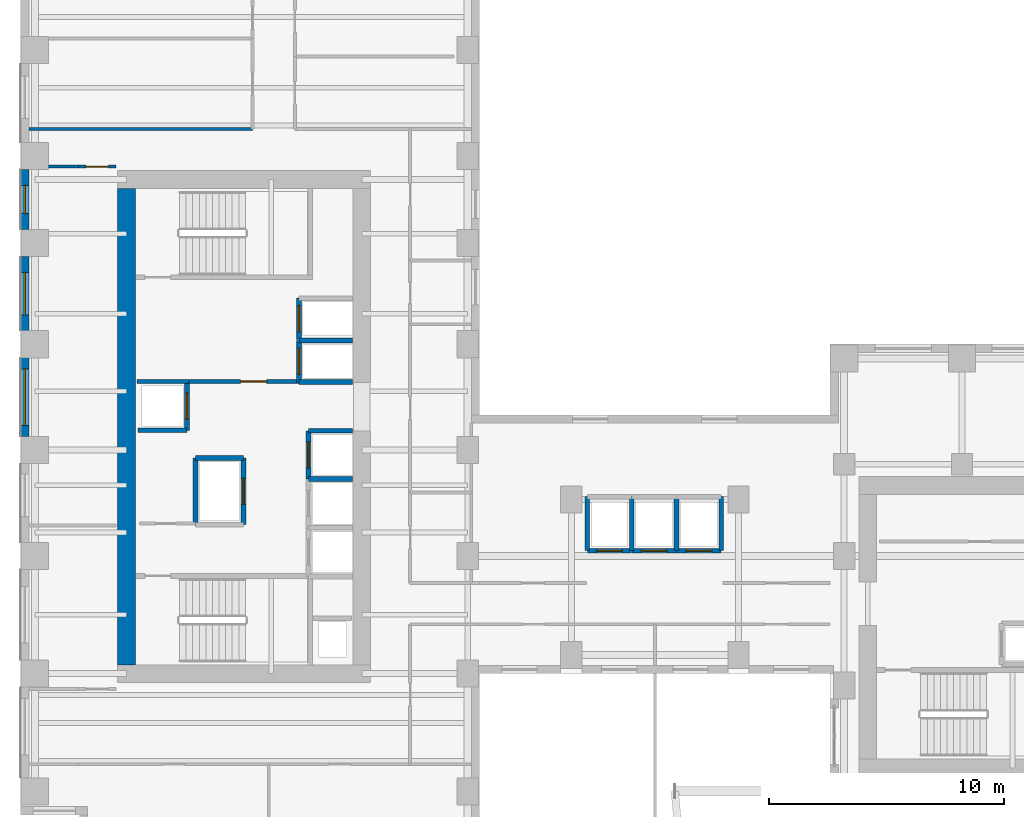
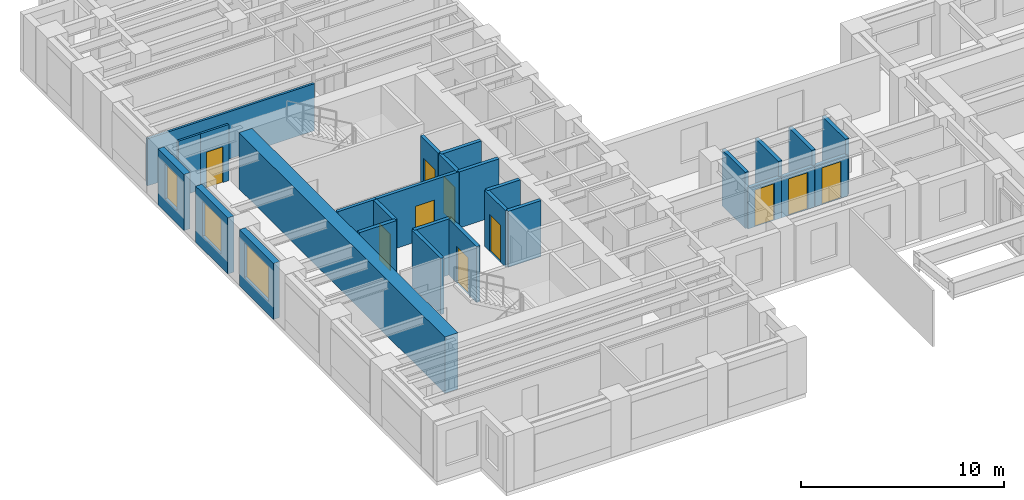
# One storey, part 8 of 14: 28 walls, 10 doors, 3 windows, 13 openings.
"""IFC4 building model written with IfcOpenShell, lengths in metres."""

from ifc_helpers import new_model, si_unit, direction, frame, frame_2d, origin, place, context, subcontext, project, spatial, rectangle, extrude, source, transform, mapped, material, layer, layer_set, type_object, element, fill, save


model = new_model("IFC4")

# Units and contexts
model_context = context("Model", 3, precision=1e-05, world=origin(), true_north=direction((0.0, 1.0)))
body_context = subcontext(model_context, "Body", "Model", "MODEL_VIEW")
ifc_project = project(units=[si_unit("LENGTHUNIT", "METRE"), si_unit("AREAUNIT", "SQUARE_METRE"), si_unit("VOLUMEUNIT", "CUBIC_METRE"), si_unit("PLANEANGLEUNIT", "RADIAN"), si_unit("MASSUNIT", "GRAM", prefix="KILO")], contexts=[model_context])

# Site, building, storey
site_placement = place(None, origin())
site = spatial("IfcSite", under=ifc_project, at=site_placement, CompositionType="ELEMENT")
building_placement = place(site_placement, origin())
building = spatial("IfcBuilding", under=site, at=building_placement, Name="Kharzan Plaza Tower", CompositionType="ELEMENT")
storey_placement = place(building_placement, frame((0.0, 0.0, 102.60009765625)))
storey = spatial("IfcBuildingStorey", under=building, at=storey_placement, Name="L27", CompositionType="ELEMENT", Elevation=102.60009765625)

# Wall, opening, window
ifc_material_1 = material(Name="Concrete C40/50", Category="concrete")
ifc_layer_1 = layer(ifc_material_1, 0.35009765625)
ifc_layer_set_1 = layer_set([ifc_layer_1], Name="Concrete C40/50")
wall_type_1 = type_object("IfcWallType", Name="WL-EXT-MAS-Z2", PredefinedType="SOLIDWALL", material=ifc_layer_set_1)
wall_1_placement = place(storey_placement, frame((0.175048828125, 29.927001953125, 0.0), z_axis=(0.0, 0.0, 1.0), x_axis=(0.0, -1.0, 0.0)))
wall_1 = element("IfcWall", 1, at=wall_1_placement, inside=storey, type_object=wall_type_1, Name="L27 Masonry-Frame Exterior Wall 20", PredefinedType="SOLIDWALL", context=body_context, shape_type="SweptSolid", body=[
    extrude(rectangle(XDim=2.553955078125, YDim=0.35009765625, at=frame_2d((1.27685546875, 0.0))), origin(), (0.0, 0.0, 1.0), 3.364990234375),
])
opening_1_placement = place(wall_1_placement, frame((0.677001953125, 0.0, 0.780029296875)))
opening_1 = element("IfcOpeningElement", 2, at=opening_1_placement, cuts=wall_1, Name="Opening W3", PredefinedType="OPENING", context=body_context, shape_type="SweptSolid", body=[
    extrude(rectangle(XDim=1.199951171875, YDim=2.10009765625, at=frame_2d((0.60009765625, 1.050048828125))), frame((0.0, 0.18505859375, 0.0), z_axis=(0.0, -1.0, 0.0), x_axis=(1.0, 0.0, 0.0)), (0.0, 0.0, 1.0), 0.3701171875),
])
ifc_material_2 = material(Name="Low-E Double Glazing", Category="glass")
window_type_1 = type_object("IfcWindowType", Name="WN-REC-1200x2100", PartitioningType="SINGLE_PANEL", PredefinedType="WINDOW", material=ifc_material_2)
shared_shape_1 = source(origin(), body_context, "Body", "SweptSolid", [
    extrude(rectangle(XDim=1.199951171875, YDim=2.10009765625, at=frame_2d((0.60009765625, 1.050048828125))), frame((0.0, 0.030029296875, 0.0), z_axis=(0.0, -1.0, 0.0), x_axis=(1.0, 0.0, 0.0)), (0.0, 0.0, 1.0), 0.06005859375),
])
window_1_placement = place(opening_1_placement, origin())
window_1 = element("IfcWindow", 3, at=window_1_placement, inside=storey, type_object=window_type_1, Name="L27 Recessed Solar-Control Window 20-1", OverallHeight=2.10009765625, OverallWidth=1.199951171875, PartitioningType="SINGLE_PANEL", PredefinedType="WINDOW", context=body_context, shape_type="MappedRepresentation", body=[
    mapped(shared_shape_1, transform((0.0, 0.0, 0.0), x_axis=(1.0, 0.0, 0.0), y_axis=(0.0, 1.0, 0.0), z_axis=(0.0, 0.0, 1.0))),
])
fill(opening_1, window_1)

wall_2_placement = place(storey_placement, frame((0.175048828125, 26.22705078125, 0.0), z_axis=(0.0, 0.0, 1.0), x_axis=(0.0, -1.0, 0.0)))
wall_2 = element("IfcWall", 4, at=wall_2_placement, inside=storey, type_object=wall_type_1, Name="L27 Masonry-Frame Exterior Wall 21", PredefinedType="SOLIDWALL", context=body_context, shape_type="SweptSolid", body=[
    extrude(rectangle(XDim=3.154052734375, YDim=0.35009765625, at=frame_2d((1.5771484375, 0.0))), origin(), (0.0, 0.0, 1.0), 3.364990234375),
])
opening_2_placement = place(wall_2_placement, frame((0.677001953125, 0.0, 0.780029296875)))
opening_2 = element("IfcOpeningElement", 5, at=opening_2_placement, cuts=wall_2, Name="Opening W1", PredefinedType="OPENING", context=body_context, shape_type="SweptSolid", body=[
    extrude(rectangle(XDim=1.800048828125, YDim=2.10009765625, at=frame_2d((0.89990234375, 1.050048828125))), frame((0.0, 0.18505859375, 0.0), z_axis=(0.0, -1.0, 0.0), x_axis=(1.0, 0.0, 0.0)), (0.0, 0.0, 1.0), 0.3701171875),
])
window_type_2 = type_object("IfcWindowType", Name="WN-REC-1800x2100", PartitioningType="SINGLE_PANEL", PredefinedType="WINDOW", material=ifc_material_2)
shared_shape_2 = source(origin(), body_context, "Body", "SweptSolid", [
    extrude(rectangle(XDim=1.800048828125, YDim=2.10009765625, at=frame_2d((0.89990234375, 1.050048828125))), frame((0.0, 0.030029296875, 0.0), z_axis=(0.0, -1.0, 0.0), x_axis=(1.0, 0.0, 0.0)), (0.0, 0.0, 1.0), 0.06005859375),
])
window_2_placement = place(opening_2_placement, origin())
window_2 = element("IfcWindow", 6, at=window_2_placement, inside=storey, type_object=window_type_2, Name="L27 Recessed Solar-Control Window 21-1", OverallHeight=2.10009765625, OverallWidth=1.800048828125, PartitioningType="SINGLE_PANEL", PredefinedType="WINDOW", context=body_context, shape_type="MappedRepresentation", body=[
    mapped(shared_shape_2, transform((0.0, 0.0, 0.0), x_axis=(1.0, 0.0, 0.0), y_axis=(0.0, 1.0, 0.0), z_axis=(0.0, 0.0, 1.0))),
])
fill(opening_2, window_2)

wall_3_placement = place(storey_placement, frame((0.175048828125, 21.927001953125, 0.0), z_axis=(0.0, 0.0, 1.0), x_axis=(0.0, -1.0, 0.0)))
wall_3 = element("IfcWall", 7, at=wall_3_placement, inside=storey, type_object=wall_type_1, Name="L27 Masonry-Frame Exterior Wall 22", PredefinedType="SOLIDWALL", context=body_context, shape_type="SweptSolid", body=[
    extrude(rectangle(XDim=3.35400390625, YDim=0.35009765625, at=frame_2d((1.677001953125, 0.0))), origin(), (0.0, 0.0, 1.0), 3.364990234375),
])
opening_3_placement = place(wall_3_placement, frame((0.47705078125, 0.0, 0.780029296875)))
opening_3 = element("IfcOpeningElement", 8, at=opening_3_placement, cuts=wall_3, Name="Opening W2", PredefinedType="OPENING", context=body_context, shape_type="SweptSolid", body=[
    extrude(rectangle(XDim=2.39990234375, YDim=2.10009765625, at=frame_2d((1.199951171875, 1.050048828125))), frame((0.0, 0.18505859375, 0.0), z_axis=(0.0, -1.0, 0.0), x_axis=(1.0, 0.0, 0.0)), (0.0, 0.0, 1.0), 0.3701171875),
])
window_type_3 = type_object("IfcWindowType", Name="WN-REC-2400x2100", PartitioningType="SINGLE_PANEL", PredefinedType="WINDOW", material=ifc_material_2)
shared_shape_3 = source(origin(), body_context, "Body", "SweptSolid", [
    extrude(rectangle(XDim=2.39990234375, YDim=2.10009765625, at=frame_2d((1.199951171875, 1.050048828125))), frame((0.0, 0.030029296875, 0.0), z_axis=(0.0, -1.0, 0.0), x_axis=(1.0, 0.0, 0.0)), (0.0, 0.0, 1.0), 0.06005859375),
])
window_3_placement = place(opening_3_placement, origin())
window_3 = element("IfcWindow", 9, at=window_3_placement, inside=storey, type_object=window_type_3, Name="L27 Wide Recessed Solar-Control Window 22-1", OverallHeight=2.10009765625, OverallWidth=2.39990234375, PartitioningType="SINGLE_PANEL", PredefinedType="WINDOW", context=body_context, shape_type="MappedRepresentation", body=[
    mapped(shared_shape_3, transform((0.0, 0.0, 0.0), x_axis=(1.0, 0.0, 0.0), y_axis=(0.0, 1.0, 0.0), z_axis=(0.0, 0.0, 1.0))),
])
fill(opening_3, window_3)

# Wall, opening, door
ifc_layer_2 = layer(ifc_material_1, 0.179931640625)
ifc_layer_set_2 = layer_set([ifc_layer_2], Name="Concrete C40/50")
wall_type_2 = type_object("IfcWallType", Name="WL-INT-FIRE-180", PredefinedType="PARTITIONING", material=ifc_layer_set_2)
wall_4_placement = place(storey_placement, frame((7.14990234375, 20.919921875, 0.0), z_axis=(0.0, 0.0, 1.0), x_axis=(1.0, 0.0, 0.0)))
wall_4 = element("IfcWall", 10, at=wall_4_placement, inside=storey, type_object=wall_type_2, Name="L27 Interior Partition CA-FF-S", PredefinedType="PARTITIONING", context=body_context, shape_type="SweptSolid", body=[
    extrude(rectangle(XDim=4.68017578125, YDim=0.179931640625, at=frame_2d((2.340087890625, 0.0))), origin(), (0.0, 0.0, 1.0), 3.364990234375),
])
opening_4_placement = place(wall_4_placement, frame((2.199951171875, 0.0, 0.0)))
opening_4 = element("IfcOpeningElement", 11, at=opening_4_placement, cuts=wall_4, Name="Opening FD1", PredefinedType="OPENING", context=body_context, shape_type="SweptSolid", body=[
    extrude(rectangle(XDim=1.10009765625, YDim=2.14990234375, at=frame_2d((0.550048828125, 1.074951171875))), frame((0.0, 0.099853515625, 0.0), z_axis=(0.0, -1.0, 0.0), x_axis=(1.0, 0.0, 0.0)), (0.0, 0.0, 1.0), 0.199951171875),
])
ifc_material_3 = material(Name="Fire-Rated Acoustic Vision-Panel Steel", Category="steel")
door_type_1 = type_object("IfcDoorType", Name="DR-FIRE-LOBBY", OperationType="NOTDEFINED", PredefinedType="DOOR", material=ifc_material_3)
shared_shape_4 = source(origin(), body_context, "Body", "SweptSolid", [
    extrude(rectangle(XDim=1.10009765625, YDim=2.14990234375, at=frame_2d((0.550048828125, 1.074951171875))), frame((0.0, 0.02490234375, 0.0), z_axis=(0.0, -1.0, 0.0), x_axis=(1.0, 0.0, 0.0)), (0.0, 0.0, 1.0), 0.050048828125),
])
door_1_placement = place(opening_4_placement, origin())
door_1 = element("IfcDoor", 12, at=door_1_placement, inside=storey, type_object=door_type_1, Name="L27 Firefighting Lobby Door", OperationType="SINGLE_SWING_LEFT", OverallHeight=2.14990234375, OverallWidth=1.10009765625, PredefinedType="DOOR", context=body_context, shape_type="MappedRepresentation", body=[
    mapped(shared_shape_4, transform((0.0, 0.0, 0.0), x_axis=(1.0, 0.0, 0.0), y_axis=(0.0, 1.0, 0.0), z_axis=(0.0, 0.0, 1.0))),
])
fill(opening_4, door_1)

ifc_material_4 = material(Name="Fire-Rated Gypsum Board Partition", Category="gypsum")
ifc_layer_3 = layer(ifc_material_4, 0.125)
ifc_layer_set_3 = layer_set([ifc_layer_3], Name="Fire-Rated Gypsum Board Partition")
wall_type_3 = type_object("IfcWallType", Name="WL-INT-PART-125", PredefinedType="PARTITIONING", material=ifc_layer_set_3)
wall_5_placement = place(storey_placement, frame((2.449951171875, 30.050048828125, 0.0), z_axis=(0.0, 0.0, 1.0), x_axis=(1.0, 0.0, 0.0)))
wall_5 = element("IfcWall", 13, at=wall_5_placement, inside=storey, type_object=wall_type_3, Name="L27 Interior Partition SH-RWND", PredefinedType="PARTITIONING", context=body_context, shape_type="SweptSolid", body=[
    extrude(rectangle(XDim=1.60009765625, YDim=0.125, at=frame_2d((0.800048828125, 0.0))), origin(), (0.0, 0.0, 1.0), 3.364990234375),
])
opening_5_placement = place(wall_5_placement, frame((0.324951171875, 0.0, 0.0)))
opening_5 = element("IfcOpeningElement", 14, at=opening_5_placement, cuts=wall_5, Name="Opening OD1", PredefinedType="OPENING", context=body_context, shape_type="SweptSolid", body=[
    extrude(rectangle(XDim=0.949951171875, YDim=2.14990234375, at=frame_2d((0.47509765625, 1.074951171875))), frame((0.0, 0.072509765625, 0.0), z_axis=(0.0, -1.0, 0.0), x_axis=(1.0, 0.0, 0.0)), (0.0, 0.0, 1.0), 0.14501953125),
])
ifc_material_5 = material(Name="Acoustic Solid-Core Stained Oak", Category="timber")
door_type_2 = type_object("IfcDoorType", Name="DR-OFF-SINGLE", OperationType="NOTDEFINED", PredefinedType="DOOR", material=ifc_material_5)
shared_shape_5 = source(origin(), body_context, "Body", "SweptSolid", [
    extrude(rectangle(XDim=0.949951171875, YDim=2.14990234375, at=frame_2d((0.47509765625, 1.074951171875))), frame((0.0, 0.02490234375, 0.0), z_axis=(0.0, -1.0, 0.0), x_axis=(1.0, 0.0, 0.0)), (0.0, 0.0, 1.0), 0.050048828125),
])
door_2_placement = place(opening_5_placement, origin())
door_2 = element("IfcDoor", 15, at=door_2_placement, inside=storey, type_object=door_type_2, Name="L27 West Office 2 Door", OperationType="SINGLE_SWING_RIGHT", OverallHeight=2.14990234375, OverallWidth=0.949951171875, PredefinedType="DOOR", context=body_context, shape_type="MappedRepresentation", body=[
    mapped(shared_shape_5, transform((0.0, 0.0, 0.0), x_axis=(1.0, 0.0, 0.0), y_axis=(0.0, 1.0, 0.0), z_axis=(0.0, 0.0, 1.0))),
])
fill(opening_5, door_2)

ifc_layer_4 = layer(ifc_material_1, 0.199951171875)
ifc_layer_set_4 = layer_set([ifc_layer_4], Name="Concrete C40/50")
wall_type_4 = type_object("IfcWallType", Name="WL-INT-SHAFT-200", PredefinedType="PARTITIONING", material=ifc_layer_set_4)
wall_6_placement = place(storey_placement, frame((11.830078125, 20.89990234375, 0.0), z_axis=(0.0, 0.0, 1.0), x_axis=(0.0, 1.0, 0.0)))
wall_6 = element("IfcWall", 16, at=wall_6_placement, inside=storey, type_object=wall_type_4, Name="L27 Interior Partition SHF-FFL-1-W", PredefinedType="PARTITIONING", context=body_context, shape_type="SweptSolid", body=[
    extrude(rectangle(XDim=1.760009765625, YDim=0.199951171875, at=frame_2d((0.8798828125, 0.0))), origin(), (0.0, 0.0, 1.0), 3.364990234375),
])
opening_6_placement = place(wall_6_placement, frame((0.330078125, 0.0, 0.0)))
opening_6 = element("IfcOpeningElement", 17, at=opening_6_placement, cuts=wall_6, Name="Opening LD", PredefinedType="OPENING", context=body_context, shape_type="SweptSolid", body=[
    extrude(rectangle(XDim=1.10009765625, YDim=2.199951171875, at=frame_2d((0.550048828125, 1.10009765625))), frame((0.0, 0.10986328125, 0.0), z_axis=(0.0, -1.0, 0.0), x_axis=(1.0, 0.0, 0.0)), (0.0, 0.0, 1.0), 0.219970703125),
])
ifc_material_6 = material(Name="Brushed Stainless Steel", Category="steel")
door_type_3 = type_object("IfcDoorType", Name="DR-LIFT-SLIDE", OperationType="SLIDING_TO_LEFT", PredefinedType="DOOR", material=ifc_material_6)
shared_shape_6 = source(origin(), body_context, "Body", "SweptSolid", [
    extrude(rectangle(XDim=1.10009765625, YDim=2.199951171875, at=frame_2d((0.550048828125, 1.10009765625))), frame((0.0, 0.02490234375, 0.0), z_axis=(0.0, -1.0, 0.0), x_axis=(1.0, 0.0, 0.0)), (0.0, 0.0, 1.0), 0.050048828125),
])
door_3_placement = place(opening_6_placement, origin())
door_3 = element("IfcDoor", 18, at=door_3_placement, inside=storey, type_object=door_type_3, Name="L27 Firefighting Lift FFL-1 Sliding Landing Door", OperationType="SLIDING_TO_LEFT", OverallHeight=2.199951171875, OverallWidth=1.10009765625, PredefinedType="DOOR", context=body_context, shape_type="MappedRepresentation", body=[
    mapped(shared_shape_6, transform((0.0, 0.0, 0.0), x_axis=(1.0, 0.0, 0.0), y_axis=(0.0, 1.0, 0.0), z_axis=(0.0, 0.0, 1.0))),
])
fill(opening_6, door_3)

wall_7_placement = place(storey_placement, frame((11.830078125, 22.699951171875, 0.0), z_axis=(0.0, 0.0, 1.0), x_axis=(0.0, 1.0, 0.0)))
wall_7 = element("IfcWall", 19, at=wall_7_placement, inside=storey, type_object=wall_type_4, Name="L27 Interior Partition SHF-FFL-2-W", PredefinedType="PARTITIONING", context=body_context, shape_type="SweptSolid", body=[
    extrude(rectangle(XDim=1.760009765625, YDim=0.199951171875, at=frame_2d((0.8798828125, 0.0))), origin(), (0.0, 0.0, 1.0), 3.364990234375),
])
opening_7_placement = place(wall_7_placement, frame((0.330078125, 0.0, 0.0)))
opening_7 = element("IfcOpeningElement", 20, at=opening_7_placement, cuts=wall_7, Name="Opening LD", PredefinedType="OPENING", context=body_context, shape_type="SweptSolid", body=[
    extrude(rectangle(XDim=1.10009765625, YDim=2.199951171875, at=frame_2d((0.550048828125, 1.10009765625))), frame((0.0, 0.10986328125, 0.0), z_axis=(0.0, -1.0, 0.0), x_axis=(1.0, 0.0, 0.0)), (0.0, 0.0, 1.0), 0.219970703125),
])
door_4_placement = place(opening_7_placement, origin())
door_4 = element("IfcDoor", 21, at=door_4_placement, inside=storey, type_object=door_type_3, Name="L27 Firefighting Lift FFL-2 Sliding Landing Door", OperationType="SLIDING_TO_LEFT", OverallHeight=2.199951171875, OverallWidth=1.10009765625, PredefinedType="DOOR", context=body_context, shape_type="MappedRepresentation", body=[
    mapped(shared_shape_6, transform((0.0, 0.0, 0.0), x_axis=(1.0, 0.0, 0.0), y_axis=(0.0, 1.0, 0.0), z_axis=(0.0, 0.0, 1.0))),
])
fill(opening_7, door_4)

wall_8_placement = place(storey_placement, frame((12.22998046875, 16.77001953125, 0.0), z_axis=(0.0, 0.0, 1.0), x_axis=(0.0, 1.0, 0.0)))
wall_8 = element("IfcWall", 22, at=wall_8_placement, inside=storey, type_object=wall_type_4, Name="L27 Interior Partition SHF-PL-H3-W", PredefinedType="PARTITIONING", context=body_context, shape_type="SweptSolid", body=[
    extrude(rectangle(XDim=2.050048828125, YDim=0.199951171875, at=frame_2d((1.02490234375, 0.0))), origin(), (0.0, 0.0, 1.0), 3.364990234375),
])
opening_8_placement = place(wall_8_placement, frame((0.47509765625, 0.0, 0.0)))
opening_8 = element("IfcOpeningElement", 23, at=opening_8_placement, cuts=wall_8, Name="Opening LD", PredefinedType="OPENING", context=body_context, shape_type="SweptSolid", body=[
    extrude(rectangle(XDim=1.10009765625, YDim=2.199951171875, at=frame_2d((0.550048828125, 1.10009765625))), frame((0.0, 0.10986328125, 0.0), z_axis=(0.0, -1.0, 0.0), x_axis=(1.0, 0.0, 0.0)), (0.0, 0.0, 1.0), 0.219970703125),
])
door_5_placement = place(opening_8_placement, origin())
door_5 = element("IfcDoor", 24, at=door_5_placement, inside=storey, type_object=door_type_3, Name="L27 High-Rise Passenger Lift PL-H3 Sliding Landing Door", OperationType="SLIDING_TO_LEFT", OverallHeight=2.199951171875, OverallWidth=1.10009765625, PredefinedType="DOOR", context=body_context, shape_type="MappedRepresentation", body=[
    mapped(shared_shape_6, transform((0.0, 0.0, 0.0), x_axis=(1.0, 0.0, 0.0), y_axis=(0.0, 1.0, 0.0), z_axis=(0.0, 0.0, 1.0))),
])
fill(opening_8, door_5)

wall_9_placement = place(storey_placement, frame((7.070068359375, 18.840087890625, 0.0), z_axis=(0.0, 0.0, 1.0), x_axis=(0.0, 1.0, 0.0)))
wall_9 = element("IfcWall", 25, at=wall_9_placement, inside=storey, type_object=wall_type_4, Name="L27 Interior Partition SHF-PL-H4-E", PredefinedType="PARTITIONING", context=body_context, shape_type="SweptSolid", body=[
    extrude(rectangle(XDim=2.059814453125, YDim=0.199951171875, at=frame_2d((1.02978515625, 0.0))), origin(), (0.0, 0.0, 1.0), 3.364990234375),
])
opening_9_placement = place(wall_9_placement, frame((0.47998046875, 0.0, 0.0)))
opening_9 = element("IfcOpeningElement", 26, at=opening_9_placement, cuts=wall_9, Name="Opening LD", PredefinedType="OPENING", context=body_context, shape_type="SweptSolid", body=[
    extrude(rectangle(XDim=1.10009765625, YDim=2.199951171875, at=frame_2d((0.550048828125, 1.10009765625))), frame((0.0, 0.10986328125, 0.0), z_axis=(0.0, -1.0, 0.0), x_axis=(1.0, 0.0, 0.0)), (0.0, 0.0, 1.0), 0.219970703125),
])
door_6_placement = place(opening_9_placement, origin())
door_6 = element("IfcDoor", 27, at=door_6_placement, inside=storey, type_object=door_type_3, Name="L27 High-Rise Passenger Lift PL-H4 Sliding Landing Door", OperationType="SLIDING_TO_LEFT", OverallHeight=2.199951171875, OverallWidth=1.10009765625, PredefinedType="DOOR", context=body_context, shape_type="MappedRepresentation", body=[
    mapped(shared_shape_6, transform((0.0, 0.0, 0.0), x_axis=(1.0, 0.0, 0.0), y_axis=(0.0, 1.0, 0.0), z_axis=(0.0, 0.0, 1.0))),
])
fill(opening_9, door_6)

wall_10_placement = place(storey_placement, frame((24.080078125, 13.72998046875, 0.0), z_axis=(0.0, 0.0, 1.0), x_axis=(1.0, 0.0, 0.0)))
wall_10 = element("IfcWall", 28, at=wall_10_placement, inside=storey, type_object=wall_type_4, Name="L27 Interior Partition SHF-PL-M1-S", PredefinedType="PARTITIONING", context=body_context, shape_type="SweptSolid", body=[
    extrude(rectangle(XDim=1.889892578125, YDim=0.199951171875, at=frame_2d((0.94482421875, 0.0))), origin(), (0.0, 0.0, 1.0), 2.44580078125),
])
opening_10_placement = place(wall_10_placement, frame((0.39501953125, 0.0, 0.0)))
opening_10 = element("IfcOpeningElement", 29, at=opening_10_placement, cuts=wall_10, Name="Opening LD", PredefinedType="OPENING", context=body_context, shape_type="SweptSolid", body=[
    extrude(rectangle(XDim=1.10009765625, YDim=2.199951171875, at=frame_2d((0.550048828125, 1.10009765625))), frame((0.0, 0.10986328125, 0.0), z_axis=(0.0, -1.0, 0.0), x_axis=(1.0, 0.0, 0.0)), (0.0, 0.0, 1.0), 0.219970703125),
])
door_7_placement = place(opening_10_placement, origin())
door_7 = element("IfcDoor", 30, at=door_7_placement, inside=storey, type_object=door_type_3, Name="L27 Mid-Rise Passenger Lift PL-M1 Sliding Landing Door", OperationType="SLIDING_TO_LEFT", OverallHeight=2.199951171875, OverallWidth=1.10009765625, PredefinedType="DOOR", context=body_context, shape_type="MappedRepresentation", body=[
    mapped(shared_shape_6, transform((0.0, 0.0, 0.0), x_axis=(1.0, 0.0, 0.0), y_axis=(0.0, 1.0, 0.0), z_axis=(0.0, 0.0, 1.0))),
])
fill(opening_10, door_7)

wall_11_placement = place(storey_placement, frame((25.97998046875, 13.72998046875, 0.0), z_axis=(0.0, 0.0, 1.0), x_axis=(1.0, 0.0, 0.0)))
wall_11 = element("IfcWall", 31, at=wall_11_placement, inside=storey, type_object=wall_type_4, Name="L27 Interior Partition SHF-PL-M2-S", PredefinedType="PARTITIONING", context=body_context, shape_type="SweptSolid", body=[
    extrude(rectangle(XDim=1.89013671875, YDim=0.199951171875, at=frame_2d((0.945068359375, 0.0))), origin(), (0.0, 0.0, 1.0), 2.44580078125),
])
opening_11_placement = place(wall_11_placement, frame((0.39501953125, 0.0, 0.0)))
opening_11 = element("IfcOpeningElement", 32, at=opening_11_placement, cuts=wall_11, Name="Opening LD", PredefinedType="OPENING", context=body_context, shape_type="SweptSolid", body=[
    extrude(rectangle(XDim=1.10009765625, YDim=2.199951171875, at=frame_2d((0.550048828125, 1.10009765625))), frame((0.0, 0.10986328125, 0.0), z_axis=(0.0, -1.0, 0.0), x_axis=(1.0, 0.0, 0.0)), (0.0, 0.0, 1.0), 0.219970703125),
])
door_8_placement = place(opening_11_placement, origin())
door_8 = element("IfcDoor", 33, at=door_8_placement, inside=storey, type_object=door_type_3, Name="L27 Mid-Rise Passenger Lift PL-M2 Sliding Landing Door", OperationType="SLIDING_TO_LEFT", OverallHeight=2.199951171875, OverallWidth=1.10009765625, PredefinedType="DOOR", context=body_context, shape_type="MappedRepresentation", body=[
    mapped(shared_shape_6, transform((0.0, 0.0, 0.0), x_axis=(1.0, 0.0, 0.0), y_axis=(0.0, 1.0, 0.0), z_axis=(0.0, 0.0, 1.0))),
])
fill(opening_11, door_8)

wall_12_placement = place(storey_placement, frame((27.8798828125, 13.72998046875, 0.0), z_axis=(0.0, 0.0, 1.0), x_axis=(1.0, 0.0, 0.0)))
wall_12 = element("IfcWall", 34, at=wall_12_placement, inside=storey, type_object=wall_type_4, Name="L27 Interior Partition SHF-PL-M3-S", PredefinedType="PARTITIONING", context=body_context, shape_type="SweptSolid", body=[
    extrude(rectangle(XDim=1.89013671875, YDim=0.199951171875, at=frame_2d((0.945068359375, 0.0))), origin(), (0.0, 0.0, 1.0), 2.44580078125),
])
opening_12_placement = place(wall_12_placement, frame((0.39501953125, 0.0, 0.0)))
opening_12 = element("IfcOpeningElement", 35, at=opening_12_placement, cuts=wall_12, Name="Opening LD", PredefinedType="OPENING", context=body_context, shape_type="SweptSolid", body=[
    extrude(rectangle(XDim=1.10009765625, YDim=2.199951171875, at=frame_2d((0.550048828125, 1.10009765625))), frame((0.0, 0.10986328125, 0.0), z_axis=(0.0, -1.0, 0.0), x_axis=(1.0, 0.0, 0.0)), (0.0, 0.0, 1.0), 0.219970703125),
])
door_9_placement = place(opening_12_placement, origin())
door_9 = element("IfcDoor", 36, at=door_9_placement, inside=storey, type_object=door_type_3, Name="L27 Mid-Rise Passenger Lift PL-M3 Sliding Landing Door", OperationType="SLIDING_TO_LEFT", OverallHeight=2.199951171875, OverallWidth=1.10009765625, PredefinedType="DOOR", context=body_context, shape_type="MappedRepresentation", body=[
    mapped(shared_shape_6, transform((0.0, 0.0, 0.0), x_axis=(1.0, 0.0, 0.0), y_axis=(0.0, 1.0, 0.0), z_axis=(0.0, 0.0, 1.0))),
])
fill(opening_12, door_9)

wall_13_placement = place(storey_placement, frame((9.469970703125, 14.830078125, 0.0), z_axis=(0.0, 0.0, 1.0), x_axis=(0.0, 1.0, 0.0)))
wall_13 = element("IfcWall", 37, at=wall_13_placement, inside=storey, type_object=wall_type_4, Name="L27 Interior Partition SHF-SVL-1-E", PredefinedType="PARTITIONING", context=body_context, shape_type="SweptSolid", body=[
    extrude(rectangle(XDim=2.83984375, YDim=0.199951171875, at=frame_2d((1.419921875, 0.0))), origin(), (0.0, 0.0, 1.0), 3.364990234375),
])
opening_13_placement = place(wall_13_placement, frame((0.8701171875, 0.0, 0.0)))
opening_13 = element("IfcOpeningElement", 38, at=opening_13_placement, cuts=wall_13, Name="Opening LD", PredefinedType="OPENING", context=body_context, shape_type="SweptSolid", body=[
    extrude(rectangle(XDim=1.10009765625, YDim=2.199951171875, at=frame_2d((0.550048828125, 1.10009765625))), frame((0.0, 0.10986328125, 0.0), z_axis=(0.0, -1.0, 0.0), x_axis=(1.0, 0.0, 0.0)), (0.0, 0.0, 1.0), 0.219970703125),
])
door_10_placement = place(opening_13_placement, origin())
door_10 = element("IfcDoor", 39, at=door_10_placement, inside=storey, type_object=door_type_3, Name="L27 Service Lift SVL-1 Sliding Landing Door", OperationType="SLIDING_TO_LEFT", OverallHeight=2.199951171875, OverallWidth=1.10009765625, PredefinedType="DOOR", context=body_context, shape_type="MappedRepresentation", body=[
    mapped(shared_shape_6, transform((0.0, 0.0, 0.0), x_axis=(1.0, 0.0, 0.0), y_axis=(0.0, 1.0, 0.0), z_axis=(0.0, 0.0, 1.0))),
])
fill(opening_13, door_10)

# Walls
shared_shape_7 = source(origin(), body_context, "Body", "SweptSolid", [
    extrude(rectangle(XDim=2.090087890625, YDim=0.199951171875, at=frame_2d((1.044921875, 0.0))), origin(), (0.0, 0.0, 1.0), 3.364990234375),
])
wall_14_placement = place(storey_placement, frame((4.97998046875, 18.840087890625, 0.0), z_axis=(0.0, 0.0, 1.0), x_axis=(1.0, 0.0, 0.0)))
element("IfcWall", 40, at=wall_14_placement, inside=storey, type_object=wall_type_4, Name="L27 Interior Partition SHF-PL-H4-S", PredefinedType="PARTITIONING", context=body_context, shape_type="MappedRepresentation", body=[
    mapped(shared_shape_7, transform((0.0, 0.0, 0.0), x_axis=(1.0, 0.0, 0.0), y_axis=(0.0, 1.0, 0.0), z_axis=(0.0, 0.0, 1.0))),
])
shared_shape_8 = source(origin(), body_context, "Body", "SweptSolid", [
    extrude(rectangle(XDim=2.2900390625, YDim=0.199951171875, at=frame_2d((1.14501953125, 0.0))), origin(), (0.0, 0.0, 1.0), 3.364990234375),
])
for number, where, z_axis, x_axis, name in (
    (41, (25.969970703125, 13.72998046875, 0.0), (0.0, 0.0, 1.0), (0.0, 1.0, 0.0), "L27 Interior Partition SHF-PL-M1-E"),
    (42, (24.080078125, 13.72998046875, 0.0), (0.0, 0.0, 1.0), (0.0, 1.0, 0.0), "L27 Interior Partition SHF-PL-M1-W"),
    (43, (27.8701171875, 13.72998046875, 0.0), (0.0, 0.0, 1.0), (0.0, 1.0, 0.0), "L27 Interior Partition SHF-PL-M2-E"),
    (44, (29.77001953125, 13.72998046875, 0.0), (0.0, 0.0, 1.0), (0.0, 1.0, 0.0), "L27 Interior Partition SHF-PL-M3-E"),
):
    element("IfcWall", number, at=place(storey_placement, frame(where, z_axis=z_axis, x_axis=x_axis)), inside=storey, type_object=wall_type_4, Name=name, PredefinedType="PARTITIONING", context=body_context, shape_type="MappedRepresentation", body=[
        mapped(shared_shape_8, transform((0.0, 0.0, 0.0), x_axis=(1.0, 0.0, 0.0), y_axis=(0.0, 1.0, 0.0), z_axis=(0.0, 0.0, 1.0))),
    ])
shared_shape_9 = source(origin(), body_context, "Body", "SweptSolid", [
    extrude(rectangle(XDim=2.0400390625, YDim=0.199951171875, at=frame_2d((1.02001953125, 0.0))), origin(), (0.0, 0.0, 1.0), 3.364990234375),
])
wall_15_placement = place(storey_placement, frame((7.429931640625, 17.669921875, 0.0), z_axis=(0.0, 0.0, 1.0), x_axis=(1.0, 0.0, 0.0)))
element("IfcWall", 45, at=wall_15_placement, inside=storey, type_object=wall_type_4, Name="L27 Interior Partition SHF-SVL-1-N", PredefinedType="PARTITIONING", context=body_context, shape_type="MappedRepresentation", body=[
    mapped(shared_shape_9, transform((0.0, 0.0, 0.0), x_axis=(1.0, 0.0, 0.0), y_axis=(0.0, 1.0, 0.0), z_axis=(0.0, 0.0, 1.0))),
])
shared_shape_10 = source(origin(), body_context, "Body", "SweptSolid", [
    extrude(rectangle(XDim=2.83984375, YDim=0.199951171875, at=frame_2d((1.419921875, 0.0))), origin(), (0.0, 0.0, 1.0), 3.364990234375),
])
wall_16_placement = place(storey_placement, frame((7.429931640625, 14.830078125, 0.0), z_axis=(0.0, 0.0, 1.0), x_axis=(0.0, 1.0, 0.0)))
element("IfcWall", 46, at=wall_16_placement, inside=storey, type_object=wall_type_4, Name="L27 Interior Partition SHF-SVL-1-W", PredefinedType="PARTITIONING", context=body_context, shape_type="MappedRepresentation", body=[
    mapped(shared_shape_10, transform((0.0, 0.0, 0.0), x_axis=(1.0, 0.0, 0.0), y_axis=(0.0, 1.0, 0.0), z_axis=(0.0, 0.0, 1.0))),
])
shared_shape_11 = source(origin(), body_context, "Body", "SweptSolid", [
    extrude(rectangle(XDim=9.498046875, YDim=0.125, at=frame_2d((4.7490234375, 0.0))), origin(), (0.0, 0.0, 1.0), 2.827880859375),
])
wall_17_placement = place(storey_placement, frame((0.35205078125, 31.64990234375, 0.0), z_axis=(0.0, 0.0, 1.0), x_axis=(1.0, 0.0, 0.0)))
element("IfcWall", 47, at=wall_17_placement, inside=storey, type_object=wall_type_3, Name="L27 Interior Partition SH-NNW", PredefinedType="PARTITIONING", context=body_context, shape_type="MappedRepresentation", body=[
    mapped(shared_shape_11, transform((0.0, 0.0, 0.0), x_axis=(1.0, 0.0, 0.0), y_axis=(0.0, 1.0, 0.0), z_axis=(0.0, 0.0, 1.0))),
])
shared_shape_12 = source(origin(), body_context, "Body", "SweptSolid", [
    extrude(rectangle(XDim=2.199951171875, YDim=0.179931640625, at=frame_2d((1.10009765625, 0.0))), origin(), (0.0, 0.0, 1.0), 3.364990234375),
])
wall_18_placement = place(storey_placement, frame((4.949951171875, 20.919921875, 0.0), z_axis=(0.0, 0.0, 1.0), x_axis=(1.0, 0.0, 0.0)))
element("IfcWall", 48, at=wall_18_placement, inside=storey, type_object=wall_type_2, Name="L27 Interior Partition CA-FF-SW", PredefinedType="PARTITIONING", context=body_context, shape_type="MappedRepresentation", body=[
    mapped(shared_shape_12, transform((0.0, 0.0, 0.0), x_axis=(1.0, 0.0, 0.0), y_axis=(0.0, 1.0, 0.0), z_axis=(0.0, 0.0, 1.0))),
])
shared_shape_13 = source(origin(), body_context, "Body", "SweptSolid", [
    extrude(rectangle(XDim=1.260009765625, YDim=0.125, at=frame_2d((0.6298828125, 0.0))), origin(), (0.0, 0.0, 1.0), 3.364990234375),
])
wall_19_placement = place(storey_placement, frame((1.18994140625, 30.050048828125, 0.0), z_axis=(0.0, 0.0, 1.0), x_axis=(1.0, 0.0, 0.0)))
element("IfcWall", 49, at=wall_19_placement, inside=storey, type_object=wall_type_3, Name="L27 Interior Partition SH-RWN0", PredefinedType="PARTITIONING", context=body_context, shape_type="MappedRepresentation", body=[
    mapped(shared_shape_13, transform((0.0, 0.0, 0.0), x_axis=(1.0, 0.0, 0.0), y_axis=(0.0, 1.0, 0.0), z_axis=(0.0, 0.0, 1.0))),
])
shared_shape_14 = source(origin(), body_context, "Body", "SweptSolid", [
    extrude(rectangle(XDim=2.264892578125, YDim=0.199951171875, at=frame_2d((1.13232421875, 0.0))), origin(), (0.0, 0.0, 1.0), 3.364990234375),
])
for number, where, z_axis, x_axis, name in (
    (50, (11.830078125, 22.659912109375, 0.0), (0.0, 0.0, 1.0), (1.0, 0.0, 0.0), "L27 Interior Partition SHF-FFL-1-N"),
    (51, (11.830078125, 20.89990234375, 0.0), (0.0, 0.0, 1.0), (1.0, 0.0, 0.0), "L27 Interior Partition SHF-FFL-1-S"),
):
    element("IfcWall", number, at=place(storey_placement, frame(where, z_axis=z_axis, x_axis=x_axis)), inside=storey, type_object=wall_type_4, Name=name, PredefinedType="PARTITIONING", context=body_context, shape_type="MappedRepresentation", body=[
        mapped(shared_shape_14, transform((0.0, 0.0, 0.0), x_axis=(1.0, 0.0, 0.0), y_axis=(0.0, 1.0, 0.0), z_axis=(0.0, 0.0, 1.0))),
    ])
shared_shape_15 = source(origin(), body_context, "Body", "SweptSolid", [
    extrude(rectangle(XDim=1.864990234375, YDim=0.199951171875, at=frame_2d((0.9326171875, 0.0))), origin(), (0.0, 0.0, 1.0), 3.364990234375),
])
for number, where, z_axis, x_axis, name in (
    (52, (12.22998046875, 16.77001953125, 0.0), (0.0, 0.0, 1.0), (1.0, 0.0, 0.0), "L27 Interior Partition SHF-PL-H2-N"),
    (53, (12.22998046875, 18.820068359375, 0.0), (0.0, 0.0, 1.0), (1.0, 0.0, 0.0), "L27 Interior Partition SHF-PL-H3-N"),
):
    element("IfcWall", number, at=place(storey_placement, frame(where, z_axis=z_axis, x_axis=x_axis)), inside=storey, type_object=wall_type_4, Name=name, PredefinedType="PARTITIONING", context=body_context, shape_type="MappedRepresentation", body=[
        mapped(shared_shape_15, transform((0.0, 0.0, 0.0), x_axis=(1.0, 0.0, 0.0), y_axis=(0.0, 1.0, 0.0), z_axis=(0.0, 0.0, 1.0))),
    ])
ifc_material_7 = material(Name="Concrete C60/75", Category="concrete")
ifc_layer_5 = layer(ifc_material_7, 0.75)
ifc_layer_set_5 = layer_set([ifc_layer_5], Name="Concrete C60/75")
wall_type_5 = type_object("IfcWallType", Name="WL-CORE-750", PredefinedType="SHEAR", material=ifc_layer_set_5)
shared_shape_16 = source(origin(), body_context, "Body", "SweptSolid", [
    extrude(rectangle(XDim=20.25, YDim=0.75, at=frame_2d((10.125, 0.0))), origin(), (0.0, 0.0, 1.0), 3.3798828125),
])
wall_20_placement = place(storey_placement, frame((4.5, 8.875, 0.0), z_axis=(0.0, 0.0, 1.0), x_axis=(0.0, 1.0, 0.0)))
element("IfcWall", 54, at=wall_20_placement, inside=storey, type_object=wall_type_5, Name="L27 CORE-A west RC shear wall", PredefinedType="SHEAR", context=body_context, shape_type="MappedRepresentation", body=[
    mapped(shared_shape_16, transform((0.0, 0.0, 0.0), x_axis=(1.0, 0.0, 0.0), y_axis=(0.0, 1.0, 0.0), z_axis=(0.0, 0.0, 1.0))),
])

save(model, "model.ifc")
